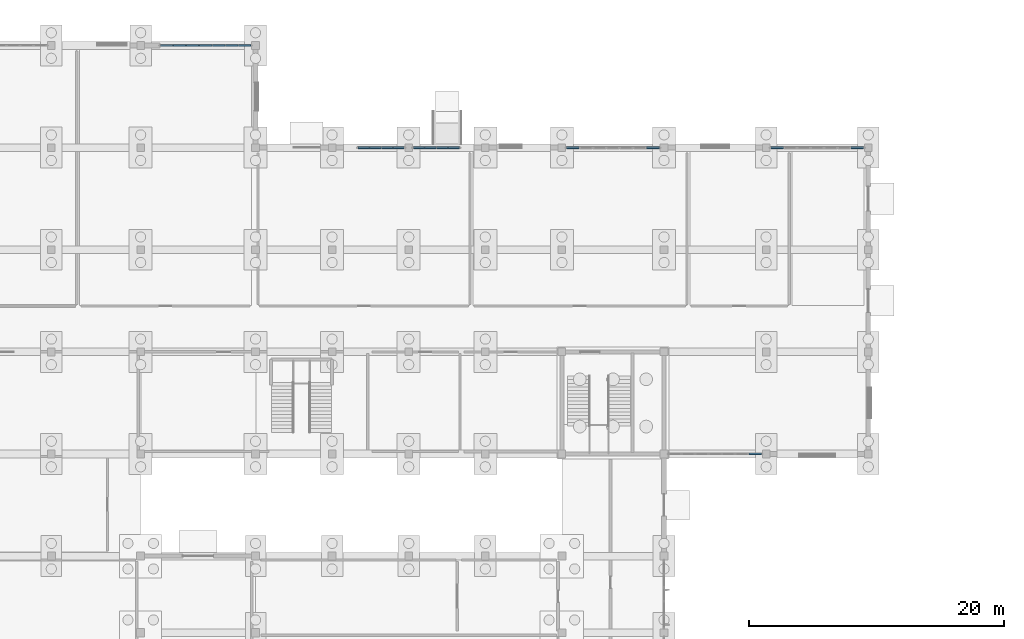
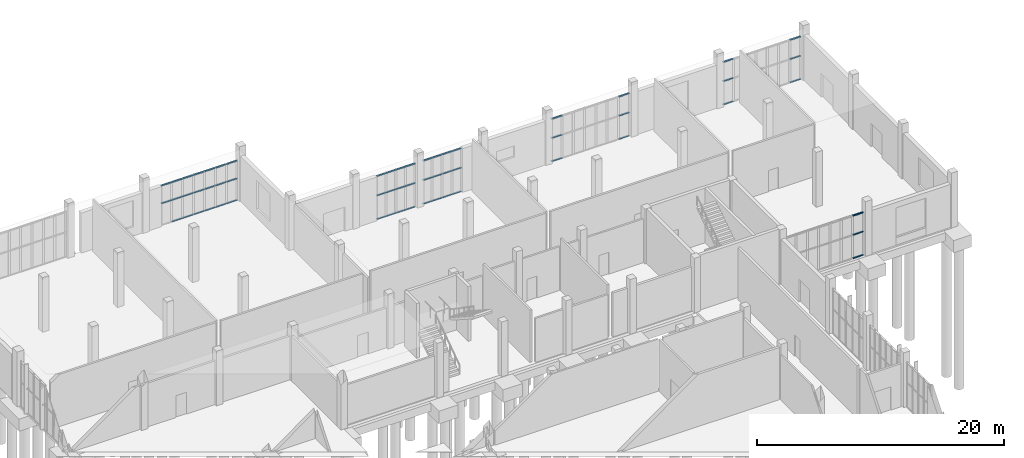
# One storey, part 27 of 69: 59 members, 6 elements without a shape of their own.
"""IFC4 building model written with IfcOpenShell, lengths in metres."""

import ifcopenshell
import ifcopenshell.guid

model = None  # the IFC model being written
_history = None  # IfcOwnerHistory: only IFC2X3 demands one
_inside = {}  # id of a spatial element -> (the spatial element, [elements in it])
_under = {}  # id of a project, library or spatial element -> (it, [spatial elements below it])
_declared = {}  # id of a project -> (the project, [libraries it declares])
_typed = {}  # id of a type object -> (the type object, [elements of that type])
_made_of = {}  # id of a material, layer set ... -> (it, [elements and type objects made of it])


def new_model(schema):
    """Start an empty IFC model of exactly this schema.

    Asked for "IFC4X3", IfcOpenShell would pick the latest addendum, in which some entities
    have other attributes; the version numbers below select the first issue.
    IFC2X3 requires an IfcOwnerHistory on every rooted entity: one is made here for all.
    """
    global model, _history
    if schema == "IFC4X3":
        model = ifcopenshell.file(schema_version=(4, 3, 0, 0))
    else:
        model = ifcopenshell.file(schema=schema)
    _inside.clear()
    _under.clear()
    _declared.clear()
    _typed.clear()
    _made_of.clear()
    _history = None
    if model.schema == "IFC2X3":
        org = make("IfcOrganization", Name="unknown")
        user = make(
            "IfcPersonAndOrganization",
            ThePerson=make("IfcPerson", FamilyName="unknown"),
            TheOrganization=org,
        )
        app = make(
            "IfcApplication",
            ApplicationDeveloper=org,
            Version="unknown",
            ApplicationFullName="unknown",
            ApplicationIdentifier="unknown",
        )
        _history = make(
            "IfcOwnerHistory",
            OwningUser=user,
            OwningApplication=app,
            ChangeAction="ADDED",
            CreationDate=0,
        )
    return model


def make(cls, **values):
    """One entity of the class cls with the attributes given. An attribute that is None is left unset."""
    return model.create_entity(
        cls, **{name: value for name, value in values.items() if value is not None}
    )


def rooted(cls, **values):
    """An entity with a GlobalId (a new one), such as an element, a storey or a relation."""
    return make(cls, GlobalId=ifcopenshell.guid.new(), OwnerHistory=_history, **values)


def si_unit(unit_type, name, prefix=None):
    """IfcSIUnit, for example si_unit("LENGTHUNIT", "METRE", prefix="MILLI")."""
    return make("IfcSIUnit", UnitType=unit_type, Prefix=prefix, Name=name)


def assignment(units):
    """IfcUnitAssignment: the units of a project."""
    return None if units is None else make("IfcUnitAssignment", Units=units)


def point(xyz):
    """IfcCartesianPoint."""
    return None if xyz is None else make("IfcCartesianPoint", Coordinates=xyz)


def direction(xyz):
    """IfcDirection."""
    return None if xyz is None else make("IfcDirection", DirectionRatios=xyz)


def frame(location, z_axis=None, x_axis=None):
    """IfcAxis2Placement3D, a coordinate frame: its origin and axes. An axis left out is left unset."""
    return make(
        "IfcAxis2Placement3D",
        Location=point(location),
        Axis=direction(z_axis),
        RefDirection=direction(x_axis),
    )


def frame_2d(location, x_axis=None):
    """IfcAxis2Placement2D, a coordinate frame in the plane: its origin and x axis."""
    return make(
        "IfcAxis2Placement2D", Location=point(location), RefDirection=direction(x_axis)
    )


def origin():
    """The frame at (0, 0, 0) with its axes left unset."""
    return frame((0.0, 0.0, 0.0))


def origin_2d():
    """The frame at (0, 0) in the plane with its x axis left unset."""
    return frame_2d((0.0, 0.0))


def place(relative_to, where):
    """IfcLocalPlacement: puts the frame where relative to a parent placement (None: the world)."""
    return make(
        "IfcLocalPlacement", PlacementRelTo=relative_to, RelativePlacement=where
    )


def context(
    kind, dimensions, precision=None, world=None, true_north=None, identifier=None
):
    """IfcGeometricRepresentationContext, for example the 3D "Model" context."""
    return make(
        "IfcGeometricRepresentationContext",
        ContextIdentifier=identifier,
        ContextType=kind,
        CoordinateSpaceDimension=dimensions,
        Precision=precision,
        WorldCoordinateSystem=world,
        TrueNorth=true_north,
    )


def subcontext(parent, identifier, kind, view, scale=None):
    """IfcGeometricRepresentationSubContext, for example "Body" below "Model"."""
    return make(
        "IfcGeometricRepresentationSubContext",
        ContextIdentifier=identifier,
        ContextType=kind,
        ParentContext=parent,
        TargetScale=scale,
        TargetView=view,
    )


def project(units=None, contexts=None):
    """IfcProject with its units and contexts."""
    return rooted(
        "IfcProject",
        Name="project",
        RepresentationContexts=contexts,
        UnitsInContext=assignment(units),
    )


def spatial(cls, under=None, at=None, **own):
    """A site, building, storey or space (cls), placed at a placement, below another one or the project."""
    s = rooted(cls, ObjectPlacement=at, **own)
    if under is not None:
        _under.setdefault(under.id(), (under, []))[1].append(s)
    return s


def profile(cls, at=None, kind="AREA", **sizes):
    """A parametric profile (cls). Its sizes go by their IFC names, for example OverallWidth=200.0."""
    return make(cls, ProfileType=kind, Position=at, **sizes)


def rectangle(**sizes):
    """IfcRectangleProfileDef."""
    return profile("IfcRectangleProfileDef", **sizes)


def extrude(swept, where, along, depth):
    """IfcExtrudedAreaSolid: the profile swept, set in the frame where, extruded along a direction by depth."""
    return make(
        "IfcExtrudedAreaSolid",
        SweptArea=swept,
        Position=where,
        ExtrudedDirection=direction(along),
        Depth=depth,
    )


def shape(context_of_items, identifier, shape_type, items):
    """IfcShapeRepresentation: the items that make up one representation, for example the "Body"."""
    return make(
        "IfcShapeRepresentation",
        ContextOfItems=context_of_items,
        RepresentationIdentifier=identifier,
        RepresentationType=shape_type,
        Items=items,
    )


def material(Name=None, Category=None):
    """IfcMaterial."""
    return make("IfcMaterial", Name=Name, Category=Category)


def layer(
    of_material, thickness, ventilated=None, Name=None, Category=None, Priority=None
):
    """IfcMaterialLayer: one layer of a wall or slab, of a material (None: an air gap)."""
    return make(
        "IfcMaterialLayer",
        Material=of_material,
        LayerThickness=thickness,
        IsVentilated=ventilated,
        Name=Name,
        Category=Category,
        Priority=Priority,
    )


def layer_set(layers, Name=None):
    """IfcMaterialLayerSet."""
    return make("IfcMaterialLayerSet", MaterialLayers=layers, LayerSetName=Name)


def material_profile(
    of_material, cross_section, Name=None, Category=None, Priority=None
):
    """IfcMaterialProfile: a cross section and its material."""
    return make(
        "IfcMaterialProfile",
        Name=Name,
        Material=of_material,
        Profile=cross_section,
        Priority=Priority,
        Category=Category,
    )


def profile_set(profiles, Name=None, composite=None):
    """IfcMaterialProfileSet."""
    return make(
        "IfcMaterialProfileSet",
        Name=Name,
        MaterialProfiles=profiles,
        CompositeProfile=composite,
    )


def made_of(thing, what):
    """Note that an element or type object is made of a material, layer set ...; save() writes the relation."""
    if what is not None:
        _made_of.setdefault(what.id(), (what, []))[1].append(thing)
    return thing


def type_object(cls, material=None, **own):
    """A type object (cls), such as IfcWallType, which elements share."""
    return made_of(rooted(cls, **own), material)


def element(
    cls,
    number,
    at=None,
    inside=None,
    cuts=None,
    type_object=None,
    material=None,
    context=None,
    identifier="Body",
    shape_type=None,
    held_by="IfcProductDefinitionShape",
    body=None,
    shapes=None,
    **own,
):
    """One element of the class cls, such as IfcWall. Its Tag is "e" and its number.

    at: its placement. inside: the storey or other place that contains it. cuts: it is an
    opening in that element (IfcRelVoidsElement). A single representation is given by context,
    identifier, shape_type and body (its items); several are given by shapes. held_by: the class
    of the entity that holds the representations. save() writes the other relations.
    """
    e = rooted(cls, Tag="e%d" % number, ObjectPlacement=at, **own)
    if body is not None:
        shapes = [shape(context, identifier, shape_type, body)]
    if shapes is not None:
        e.Representation = make(held_by, Representations=shapes)
    if inside is not None:
        _inside.setdefault(inside.id(), (inside, []))[1].append(e)
    if cuts is not None:
        rooted(
            "IfcRelVoidsElement", RelatingBuildingElement=cuts, RelatedOpeningElement=e
        )
    if type_object is not None:
        _typed.setdefault(type_object.id(), (type_object, []))[1].append(e)
    return made_of(e, material)


def aggregate(whole, parts):
    """IfcRelAggregates: a whole, such as a stair, and the parts it consists of."""
    return rooted("IfcRelAggregates", RelatingObject=whole, RelatedObjects=parts)


def save(model, path):
    """Write the relations noted so far, then the file.

    IfcRelAggregates (storeys below a building ...), IfcRelContainedInSpatialStructure (elements
    in a storey), IfcRelDefinesByType, IfcRelAssociatesMaterial and IfcRelDeclares: one each for
    every whole, place, type object, material and project.
    """
    for whole, parts in _under.values():
        aggregate(whole, parts)
    for where, things in _inside.values():
        rooted(
            "IfcRelContainedInSpatialStructure",
            RelatedElements=things,
            RelatingStructure=where,
        )
    for kind, things in _typed.values():
        rooted("IfcRelDefinesByType", RelatedObjects=things, RelatingType=kind)
    for what, things in _made_of.values():
        rooted("IfcRelAssociatesMaterial", RelatedObjects=things, RelatingMaterial=what)
    for by, libraries in _declared.values():
        rooted("IfcRelDeclares", RelatingContext=by, RelatedDefinitions=libraries)
    model.write(path)


model = new_model("IFC4")

# Units and contexts
model_context = context("Model", 3, precision=1e-05, world=origin(), true_north=direction((0.0, 1.0)))
body_context = subcontext(model_context, "Body", "Model", "MODEL_VIEW")
ifc_project = project(units=[si_unit("LENGTHUNIT", "METRE"), si_unit("AREAUNIT", "SQUARE_METRE"), si_unit("VOLUMEUNIT", "CUBIC_METRE"), si_unit("PLANEANGLEUNIT", "RADIAN"), si_unit("MASSUNIT", "GRAM", prefix="KILO")], contexts=[model_context])

# Site, building, storey
site_placement = place(None, origin())
site = spatial("IfcSite", under=ifc_project, at=site_placement, CompositionType="ELEMENT")
building_placement = place(site_placement, origin())
building = spatial("IfcBuilding", under=site, at=building_placement, Name="Solvane Community Centre", CompositionType="ELEMENT")
storey_placement = place(building_placement, origin())
storey = spatial("IfcBuildingStorey", under=building, at=storey_placement, Name="L00", CompositionType="ELEMENT", Elevation=0.0)

# Curtain wall, members
ifc_material = material(Name="Anodised bronze aluminium AW-6063 T6", Category="aluminium")
ifc_layer_1 = layer(ifc_material, 0.18994140625)
ifc_layer_set_1 = layer_set([ifc_layer_1], Name="Anodised bronze aluminium AW-6063 T6")
curtain_wall_type_1 = type_object("IfcCurtainWallType", Name="Boulevard Bronze Vision Curtain Wall [72x39dm]", PredefinedType="NOTDEFINED", material=ifc_layer_set_1)
curtain_wall_1_placement = place(storey_placement, origin())
curtain_wall_1 = element("IfcCurtainWall", 1, at=curtain_wall_1_placement, inside=storey, type_object=curtain_wall_type_1, Name="Curtain Wall CW-L00-285_1180-009", PredefinedType="NOTDEFINED")
ifc_material_profile = material_profile(ifc_material, rectangle(XDim=0.14990234375, YDim=0.06005859375, at=origin_2d()), Name="CW-T 60x150")
ifc_profile_set = profile_set([ifc_material_profile], Name="Anodised bronze aluminium AW-6063 T6")
member_type = type_object("IfcMemberType", Name="Boulevard Transom 60x150", PredefinedType="USERDEFINED", material=ifc_profile_set)
member_1_placement = place(storey_placement, frame((28.56005859375, 118.0, 2.169921875), z_axis=(1.0, 0.0, 0.0), x_axis=(0.0, 1.0, 0.0)))
member_1 = element("IfcMember", 2, at=member_1_placement, type_object=member_type, Name="CW02-72x39 transom 1.2", ObjectType="TRANSOM", PredefinedType="USERDEFINED", context=body_context, shape_type="SweptSolid", body=[
    extrude(rectangle(XDim=0.14990234375, YDim=0.06005859375, at=origin_2d()), origin(), (0.0, 0.0, 1.0), 0.935546875),
])
member_2_placement = place(storey_placement, frame((28.56005859375, 118.0, 3.9150390625), z_axis=(1.0, 0.0, 0.0), x_axis=(0.0, 1.0, 0.0)))
member_2 = element("IfcMember", 3, at=member_2_placement, type_object=member_type, Name="CW02-72x39 transom 1.3", ObjectType="TRANSOM", PredefinedType="USERDEFINED", context=body_context, shape_type="SweptSolid", body=[
    extrude(rectangle(XDim=0.14990234375, YDim=0.06005859375, at=origin_2d()), origin(), (0.0, 0.0, 1.0), 0.935546875),
])
member_3_placement = place(storey_placement, frame((29.5556640625, 118.0, 0.030029296875), z_axis=(1.0, 0.0, 0.0), x_axis=(0.0, 1.0, 0.0)))
member_3 = element("IfcMember", 4, at=member_3_placement, type_object=member_type, Name="CW02-72x39 transom 2.1", ObjectType="TRANSOM", PredefinedType="USERDEFINED", context=body_context, shape_type="SweptSolid", body=[
    extrude(rectangle(XDim=0.14990234375, YDim=0.06005859375, at=origin_2d()), origin(), (0.0, 0.0, 1.0), 0.9658203125),
])
member_4_placement = place(storey_placement, frame((29.5556640625, 118.0, 2.169921875), z_axis=(1.0, 0.0, 0.0), x_axis=(0.0, 1.0, 0.0)))
member_4 = element("IfcMember", 5, at=member_4_placement, type_object=member_type, Name="CW02-72x39 transom 2.2", ObjectType="TRANSOM", PredefinedType="USERDEFINED", context=body_context, shape_type="SweptSolid", body=[
    extrude(rectangle(XDim=0.14990234375, YDim=0.06005859375, at=origin_2d()), origin(), (0.0, 0.0, 1.0), 0.9658203125),
])
member_5_placement = place(storey_placement, frame((29.5556640625, 118.0, 3.9150390625), z_axis=(1.0, 0.0, 0.0), x_axis=(0.0, 1.0, 0.0)))
member_5 = element("IfcMember", 6, at=member_5_placement, type_object=member_type, Name="CW02-72x39 transom 2.3", ObjectType="TRANSOM", PredefinedType="USERDEFINED", context=body_context, shape_type="SweptSolid", body=[
    extrude(rectangle(XDim=0.14990234375, YDim=0.06005859375, at=origin_2d()), origin(), (0.0, 0.0, 1.0), 0.9658203125),
])
member_6_placement = place(storey_placement, frame((30.58154296875, 118.0, 0.030029296875), z_axis=(1.0, 0.0, 0.0), x_axis=(0.0, 1.0, 0.0)))
member_6 = element("IfcMember", 7, at=member_6_placement, type_object=member_type, Name="CW02-72x39 transom 3.1", ObjectType="TRANSOM", PredefinedType="USERDEFINED", context=body_context, shape_type="SweptSolid", body=[
    extrude(rectangle(XDim=0.14990234375, YDim=0.06005859375, at=origin_2d()), origin(), (0.0, 0.0, 1.0), 0.965576171875),
])
member_7_placement = place(storey_placement, frame((30.58154296875, 118.0, 2.169921875), z_axis=(1.0, 0.0, 0.0), x_axis=(0.0, 1.0, 0.0)))
member_7 = element("IfcMember", 8, at=member_7_placement, type_object=member_type, Name="CW02-72x39 transom 3.2", ObjectType="TRANSOM", PredefinedType="USERDEFINED", context=body_context, shape_type="SweptSolid", body=[
    extrude(rectangle(XDim=0.14990234375, YDim=0.06005859375, at=origin_2d()), origin(), (0.0, 0.0, 1.0), 0.965576171875),
])
member_8_placement = place(storey_placement, frame((30.58154296875, 118.0, 3.9150390625), z_axis=(1.0, 0.0, 0.0), x_axis=(0.0, 1.0, 0.0)))
member_8 = element("IfcMember", 9, at=member_8_placement, type_object=member_type, Name="CW02-72x39 transom 3.3", ObjectType="TRANSOM", PredefinedType="USERDEFINED", context=body_context, shape_type="SweptSolid", body=[
    extrude(rectangle(XDim=0.14990234375, YDim=0.06005859375, at=origin_2d()), origin(), (0.0, 0.0, 1.0), 0.965576171875),
])
member_9_placement = place(storey_placement, frame((31.607177734375, 118.0, 0.030029296875), z_axis=(1.0, 0.0, 0.0), x_axis=(0.0, 1.0, 0.0)))
member_9 = element("IfcMember", 10, at=member_9_placement, type_object=member_type, Name="CW02-72x39 transom 4.1", ObjectType="TRANSOM", PredefinedType="USERDEFINED", context=body_context, shape_type="SweptSolid", body=[
    extrude(rectangle(XDim=0.14990234375, YDim=0.06005859375, at=origin_2d()), origin(), (0.0, 0.0, 1.0), 0.965576171875),
])
member_10_placement = place(storey_placement, frame((31.607177734375, 118.0, 2.169921875), z_axis=(1.0, 0.0, 0.0), x_axis=(0.0, 1.0, 0.0)))
member_10 = element("IfcMember", 11, at=member_10_placement, type_object=member_type, Name="CW02-72x39 transom 4.2", ObjectType="TRANSOM", PredefinedType="USERDEFINED", context=body_context, shape_type="SweptSolid", body=[
    extrude(rectangle(XDim=0.14990234375, YDim=0.06005859375, at=origin_2d()), origin(), (0.0, 0.0, 1.0), 0.965576171875),
])
member_11_placement = place(storey_placement, frame((31.607177734375, 118.0, 3.9150390625), z_axis=(1.0, 0.0, 0.0), x_axis=(0.0, 1.0, 0.0)))
member_11 = element("IfcMember", 12, at=member_11_placement, type_object=member_type, Name="CW02-72x39 transom 4.3", ObjectType="TRANSOM", PredefinedType="USERDEFINED", context=body_context, shape_type="SweptSolid", body=[
    extrude(rectangle(XDim=0.14990234375, YDim=0.06005859375, at=origin_2d()), origin(), (0.0, 0.0, 1.0), 0.965576171875),
])
member_12_placement = place(storey_placement, frame((32.6328125, 118.0, 0.030029296875), z_axis=(1.0, 0.0, 0.0), x_axis=(0.0, 1.0, 0.0)))
member_12 = element("IfcMember", 13, at=member_12_placement, type_object=member_type, Name="CW02-72x39 transom 5.1", ObjectType="TRANSOM", PredefinedType="USERDEFINED", context=body_context, shape_type="SweptSolid", body=[
    extrude(rectangle(XDim=0.14990234375, YDim=0.06005859375, at=origin_2d()), origin(), (0.0, 0.0, 1.0), 0.9658203125),
])
member_13_placement = place(storey_placement, frame((32.6328125, 118.0, 2.169921875), z_axis=(1.0, 0.0, 0.0), x_axis=(0.0, 1.0, 0.0)))
member_13 = element("IfcMember", 14, at=member_13_placement, type_object=member_type, Name="CW02-72x39 transom 5.2", ObjectType="TRANSOM", PredefinedType="USERDEFINED", context=body_context, shape_type="SweptSolid", body=[
    extrude(rectangle(XDim=0.14990234375, YDim=0.06005859375, at=origin_2d()), origin(), (0.0, 0.0, 1.0), 0.9658203125),
])
member_14_placement = place(storey_placement, frame((32.6328125, 118.0, 3.9150390625), z_axis=(1.0, 0.0, 0.0), x_axis=(0.0, 1.0, 0.0)))
member_14 = element("IfcMember", 15, at=member_14_placement, type_object=member_type, Name="CW02-72x39 transom 5.3", ObjectType="TRANSOM", PredefinedType="USERDEFINED", context=body_context, shape_type="SweptSolid", body=[
    extrude(rectangle(XDim=0.14990234375, YDim=0.06005859375, at=origin_2d()), origin(), (0.0, 0.0, 1.0), 0.9658203125),
])
member_15_placement = place(storey_placement, frame((33.65869140625, 118.0, 0.030029296875), z_axis=(1.0, 0.0, 0.0), x_axis=(0.0, 1.0, 0.0)))
member_15 = element("IfcMember", 16, at=member_15_placement, type_object=member_type, Name="CW02-72x39 transom 6.1", ObjectType="TRANSOM", PredefinedType="USERDEFINED", context=body_context, shape_type="SweptSolid", body=[
    extrude(rectangle(XDim=0.14990234375, YDim=0.06005859375, at=origin_2d()), origin(), (0.0, 0.0, 1.0), 0.965576171875),
])
member_16_placement = place(storey_placement, frame((33.65869140625, 118.0, 2.169921875), z_axis=(1.0, 0.0, 0.0), x_axis=(0.0, 1.0, 0.0)))
member_16 = element("IfcMember", 17, at=member_16_placement, type_object=member_type, Name="CW02-72x39 transom 6.2", ObjectType="TRANSOM", PredefinedType="USERDEFINED", context=body_context, shape_type="SweptSolid", body=[
    extrude(rectangle(XDim=0.14990234375, YDim=0.06005859375, at=origin_2d()), origin(), (0.0, 0.0, 1.0), 0.965576171875),
])
member_17_placement = place(storey_placement, frame((33.65869140625, 118.0, 3.9150390625), z_axis=(1.0, 0.0, 0.0), x_axis=(0.0, 1.0, 0.0)))
member_17 = element("IfcMember", 18, at=member_17_placement, type_object=member_type, Name="CW02-72x39 transom 6.3", ObjectType="TRANSOM", PredefinedType="USERDEFINED", context=body_context, shape_type="SweptSolid", body=[
    extrude(rectangle(XDim=0.14990234375, YDim=0.06005859375, at=origin_2d()), origin(), (0.0, 0.0, 1.0), 0.965576171875),
])
member_18_placement = place(storey_placement, frame((34.684326171875, 118.0, 0.030029296875), z_axis=(1.0, 0.0, 0.0), x_axis=(0.0, 1.0, 0.0)))
member_18 = element("IfcMember", 19, at=member_18_placement, type_object=member_type, Name="CW02-72x39 transom 7.1", ObjectType="TRANSOM", PredefinedType="USERDEFINED", context=body_context, shape_type="SweptSolid", body=[
    extrude(rectangle(XDim=0.14990234375, YDim=0.06005859375, at=origin_2d()), origin(), (0.0, 0.0, 1.0), 0.935791015625),
])
member_19_placement = place(storey_placement, frame((34.684326171875, 118.0, 2.169921875), z_axis=(1.0, 0.0, 0.0), x_axis=(0.0, 1.0, 0.0)))
member_19 = element("IfcMember", 20, at=member_19_placement, type_object=member_type, Name="CW02-72x39 transom 7.2", ObjectType="TRANSOM", PredefinedType="USERDEFINED", context=body_context, shape_type="SweptSolid", body=[
    extrude(rectangle(XDim=0.14990234375, YDim=0.06005859375, at=origin_2d()), origin(), (0.0, 0.0, 1.0), 0.935791015625),
])
member_20_placement = place(storey_placement, frame((34.684326171875, 118.0, 3.9150390625), z_axis=(1.0, 0.0, 0.0), x_axis=(0.0, 1.0, 0.0)))
member_20 = element("IfcMember", 21, at=member_20_placement, type_object=member_type, Name="CW02-72x39 transom 7.3", ObjectType="TRANSOM", PredefinedType="USERDEFINED", context=body_context, shape_type="SweptSolid", body=[
    extrude(rectangle(XDim=0.14990234375, YDim=0.06005859375, at=origin_2d()), origin(), (0.0, 0.0, 1.0), 0.935791015625),
])
aggregate(curtain_wall_1, [member_1, member_2, member_3, member_4, member_5, member_6, member_7, member_8, member_9, member_10, member_11, member_12, member_13, member_14, member_15, member_16, member_17, member_18, member_19, member_20])

ifc_layer_2 = layer(ifc_material, 0.18994140625)
ifc_layer_set_2 = layer_set([ifc_layer_2], Name="Anodised bronze aluminium AW-6063 T6")
curtain_wall_type_2 = type_object("IfcCurtainWallType", Name="Boulevard Bronze Vision Curtain Wall [37x43dm]", PredefinedType="NOTDEFINED", material=ifc_layer_set_2)
curtain_wall_2_placement = place(storey_placement, origin())
curtain_wall_2 = element("IfcCurtainWall", 22, at=curtain_wall_2_placement, inside=storey, type_object=curtain_wall_type_2, Name="Curtain Wall CW-L00-440_1100-010", PredefinedType="NOTDEFINED")
member_21_placement = place(storey_placement, frame((44.06005859375, 110.0, 0.030029296875), z_axis=(1.0, 0.0, 0.0), x_axis=(0.0, 1.0, 0.0)))
member_21 = element("IfcMember", 23, at=member_21_placement, type_object=member_type, Name="CW02-37x43 transom 1.1", ObjectType="TRANSOM", PredefinedType="USERDEFINED", context=body_context, shape_type="SweptSolid", body=[
    extrude(rectangle(XDim=0.14990234375, YDim=0.06005859375, at=origin_2d()), origin(), (0.0, 0.0, 1.0), 0.831298828125),
])
member_22_placement = place(storey_placement, frame((44.06005859375, 110.0, 2.373046875), z_axis=(1.0, 0.0, 0.0), x_axis=(0.0, 1.0, 0.0)))
member_22 = element("IfcMember", 24, at=member_22_placement, type_object=member_type, Name="CW02-37x43 transom 1.2", ObjectType="TRANSOM", PredefinedType="USERDEFINED", context=body_context, shape_type="SweptSolid", body=[
    extrude(rectangle(XDim=0.14990234375, YDim=0.06005859375, at=origin_2d()), origin(), (0.0, 0.0, 1.0), 0.831298828125),
])
member_23_placement = place(storey_placement, frame((44.06005859375, 110.0, 4.284912109375), z_axis=(1.0, 0.0, 0.0), x_axis=(0.0, 1.0, 0.0)))
member_23 = element("IfcMember", 25, at=member_23_placement, type_object=member_type, Name="CW02-37x43 transom 1.3", ObjectType="TRANSOM", PredefinedType="USERDEFINED", context=body_context, shape_type="SweptSolid", body=[
    extrude(rectangle(XDim=0.14990234375, YDim=0.06005859375, at=origin_2d()), origin(), (0.0, 0.0, 1.0), 0.831298828125),
])
member_24_placement = place(storey_placement, frame((44.951171875, 110.0, 0.030029296875), z_axis=(1.0, 0.0, 0.0), x_axis=(0.0, 1.0, 0.0)))
member_24 = element("IfcMember", 26, at=member_24_placement, type_object=member_type, Name="CW02-37x43 transom 2.1", ObjectType="TRANSOM", PredefinedType="USERDEFINED", context=body_context, shape_type="SweptSolid", body=[
    extrude(rectangle(XDim=0.14990234375, YDim=0.06005859375, at=origin_2d()), origin(), (0.0, 0.0, 1.0), 0.861328125),
])
member_25_placement = place(storey_placement, frame((44.951171875, 110.0, 2.373046875), z_axis=(1.0, 0.0, 0.0), x_axis=(0.0, 1.0, 0.0)))
member_25 = element("IfcMember", 27, at=member_25_placement, type_object=member_type, Name="CW02-37x43 transom 2.2", ObjectType="TRANSOM", PredefinedType="USERDEFINED", context=body_context, shape_type="SweptSolid", body=[
    extrude(rectangle(XDim=0.14990234375, YDim=0.06005859375, at=origin_2d()), origin(), (0.0, 0.0, 1.0), 0.861328125),
])
member_26_placement = place(storey_placement, frame((44.951171875, 110.0, 4.284912109375), z_axis=(1.0, 0.0, 0.0), x_axis=(0.0, 1.0, 0.0)))
member_26 = element("IfcMember", 28, at=member_26_placement, type_object=member_type, Name="CW02-37x43 transom 2.3", ObjectType="TRANSOM", PredefinedType="USERDEFINED", context=body_context, shape_type="SweptSolid", body=[
    extrude(rectangle(XDim=0.14990234375, YDim=0.06005859375, at=origin_2d()), origin(), (0.0, 0.0, 1.0), 0.861328125),
])
member_27_placement = place(storey_placement, frame((45.87255859375, 110.0, 0.030029296875), z_axis=(1.0, 0.0, 0.0), x_axis=(0.0, 1.0, 0.0)))
member_27 = element("IfcMember", 29, at=member_27_placement, type_object=member_type, Name="CW02-37x43 transom 3.1", ObjectType="TRANSOM", PredefinedType="USERDEFINED", context=body_context, shape_type="SweptSolid", body=[
    extrude(rectangle(XDim=0.14990234375, YDim=0.06005859375, at=origin_2d()), origin(), (0.0, 0.0, 1.0), 0.861083984375),
])
member_28_placement = place(storey_placement, frame((45.87255859375, 110.0, 2.373046875), z_axis=(1.0, 0.0, 0.0), x_axis=(0.0, 1.0, 0.0)))
member_28 = element("IfcMember", 30, at=member_28_placement, type_object=member_type, Name="CW02-37x43 transom 3.2", ObjectType="TRANSOM", PredefinedType="USERDEFINED", context=body_context, shape_type="SweptSolid", body=[
    extrude(rectangle(XDim=0.14990234375, YDim=0.06005859375, at=origin_2d()), origin(), (0.0, 0.0, 1.0), 0.861083984375),
])
member_29_placement = place(storey_placement, frame((45.87255859375, 110.0, 4.284912109375), z_axis=(1.0, 0.0, 0.0), x_axis=(0.0, 1.0, 0.0)))
member_29 = element("IfcMember", 31, at=member_29_placement, type_object=member_type, Name="CW02-37x43 transom 3.3", ObjectType="TRANSOM", PredefinedType="USERDEFINED", context=body_context, shape_type="SweptSolid", body=[
    extrude(rectangle(XDim=0.14990234375, YDim=0.06005859375, at=origin_2d()), origin(), (0.0, 0.0, 1.0), 0.861083984375),
])
member_30_placement = place(storey_placement, frame((46.793701171875, 110.0, 0.030029296875), z_axis=(1.0, 0.0, 0.0), x_axis=(0.0, 1.0, 0.0)))
member_30 = element("IfcMember", 32, at=member_30_placement, type_object=member_type, Name="CW02-37x43 transom 4.1", ObjectType="TRANSOM", PredefinedType="USERDEFINED", context=body_context, shape_type="SweptSolid", body=[
    extrude(rectangle(XDim=0.14990234375, YDim=0.06005859375, at=origin_2d()), origin(), (0.0, 0.0, 1.0), 0.831298828125),
])
member_31_placement = place(storey_placement, frame((46.793701171875, 110.0, 2.373046875), z_axis=(1.0, 0.0, 0.0), x_axis=(0.0, 1.0, 0.0)))
member_31 = element("IfcMember", 33, at=member_31_placement, type_object=member_type, Name="CW02-37x43 transom 4.2", ObjectType="TRANSOM", PredefinedType="USERDEFINED", context=body_context, shape_type="SweptSolid", body=[
    extrude(rectangle(XDim=0.14990234375, YDim=0.06005859375, at=origin_2d()), origin(), (0.0, 0.0, 1.0), 0.831298828125),
])
member_32_placement = place(storey_placement, frame((46.793701171875, 110.0, 4.284912109375), z_axis=(1.0, 0.0, 0.0), x_axis=(0.0, 1.0, 0.0)))
member_32 = element("IfcMember", 34, at=member_32_placement, type_object=member_type, Name="CW02-37x43 transom 4.3", ObjectType="TRANSOM", PredefinedType="USERDEFINED", context=body_context, shape_type="SweptSolid", body=[
    extrude(rectangle(XDim=0.14990234375, YDim=0.06005859375, at=origin_2d()), origin(), (0.0, 0.0, 1.0), 0.831298828125),
])
aggregate(curtain_wall_2, [member_21, member_22, member_23, member_24, member_25, member_26, member_27, member_28, member_29, member_30, member_31, member_32])

curtain_wall_3_placement = place(storey_placement, origin())
curtain_wall_3 = element("IfcCurtainWall", 35, at=curtain_wall_3_placement, inside=storey, type_object=curtain_wall_type_2, Name="Curtain Wall CW-L00-483_1100-011", PredefinedType="NOTDEFINED")
member_33_placement = place(storey_placement, frame((48.375, 110.0, 0.030029296875), z_axis=(1.0, 0.0, 0.0), x_axis=(0.0, 1.0, 0.0)))
member_33 = element("IfcMember", 36, at=member_33_placement, type_object=member_type, Name="CW02-37x43 transom 1.1", ObjectType="TRANSOM", PredefinedType="USERDEFINED", context=body_context, shape_type="SweptSolid", body=[
    extrude(rectangle(XDim=0.14990234375, YDim=0.06005859375, at=origin_2d()), origin(), (0.0, 0.0, 1.0), 0.831298828125),
])
member_34_placement = place(storey_placement, frame((48.375, 110.0, 2.373046875), z_axis=(1.0, 0.0, 0.0), x_axis=(0.0, 1.0, 0.0)))
member_34 = element("IfcMember", 37, at=member_34_placement, type_object=member_type, Name="CW02-37x43 transom 1.2", ObjectType="TRANSOM", PredefinedType="USERDEFINED", context=body_context, shape_type="SweptSolid", body=[
    extrude(rectangle(XDim=0.14990234375, YDim=0.06005859375, at=origin_2d()), origin(), (0.0, 0.0, 1.0), 0.831298828125),
])
member_35_placement = place(storey_placement, frame((48.375, 110.0, 4.284912109375), z_axis=(1.0, 0.0, 0.0), x_axis=(0.0, 1.0, 0.0)))
member_35 = element("IfcMember", 38, at=member_35_placement, type_object=member_type, Name="CW02-37x43 transom 1.3", ObjectType="TRANSOM", PredefinedType="USERDEFINED", context=body_context, shape_type="SweptSolid", body=[
    extrude(rectangle(XDim=0.14990234375, YDim=0.06005859375, at=origin_2d()), origin(), (0.0, 0.0, 1.0), 0.831298828125),
])
member_36_placement = place(storey_placement, frame((49.266357421875, 110.0, 0.030029296875), z_axis=(1.0, 0.0, 0.0), x_axis=(0.0, 1.0, 0.0)))
member_36 = element("IfcMember", 39, at=member_36_placement, type_object=member_type, Name="CW02-37x43 transom 2.1", ObjectType="TRANSOM", PredefinedType="USERDEFINED", context=body_context, shape_type="SweptSolid", body=[
    extrude(rectangle(XDim=0.14990234375, YDim=0.06005859375, at=origin_2d()), origin(), (0.0, 0.0, 1.0), 0.861083984375),
])
member_37_placement = place(storey_placement, frame((49.266357421875, 110.0, 2.373046875), z_axis=(1.0, 0.0, 0.0), x_axis=(0.0, 1.0, 0.0)))
member_37 = element("IfcMember", 40, at=member_37_placement, type_object=member_type, Name="CW02-37x43 transom 2.2", ObjectType="TRANSOM", PredefinedType="USERDEFINED", context=body_context, shape_type="SweptSolid", body=[
    extrude(rectangle(XDim=0.14990234375, YDim=0.06005859375, at=origin_2d()), origin(), (0.0, 0.0, 1.0), 0.861083984375),
])
member_38_placement = place(storey_placement, frame((49.266357421875, 110.0, 4.284912109375), z_axis=(1.0, 0.0, 0.0), x_axis=(0.0, 1.0, 0.0)))
member_38 = element("IfcMember", 41, at=member_38_placement, type_object=member_type, Name="CW02-37x43 transom 2.3", ObjectType="TRANSOM", PredefinedType="USERDEFINED", context=body_context, shape_type="SweptSolid", body=[
    extrude(rectangle(XDim=0.14990234375, YDim=0.06005859375, at=origin_2d()), origin(), (0.0, 0.0, 1.0), 0.861083984375),
])
member_39_placement = place(storey_placement, frame((50.1875, 110.0, 0.030029296875), z_axis=(1.0, 0.0, 0.0), x_axis=(0.0, 1.0, 0.0)))
member_39 = element("IfcMember", 42, at=member_39_placement, type_object=member_type, Name="CW02-37x43 transom 3.1", ObjectType="TRANSOM", PredefinedType="USERDEFINED", context=body_context, shape_type="SweptSolid", body=[
    extrude(rectangle(XDim=0.14990234375, YDim=0.06005859375, at=origin_2d()), origin(), (0.0, 0.0, 1.0), 0.861328125),
])
member_40_placement = place(storey_placement, frame((50.1875, 110.0, 2.373046875), z_axis=(1.0, 0.0, 0.0), x_axis=(0.0, 1.0, 0.0)))
member_40 = element("IfcMember", 43, at=member_40_placement, type_object=member_type, Name="CW02-37x43 transom 3.2", ObjectType="TRANSOM", PredefinedType="USERDEFINED", context=body_context, shape_type="SweptSolid", body=[
    extrude(rectangle(XDim=0.14990234375, YDim=0.06005859375, at=origin_2d()), origin(), (0.0, 0.0, 1.0), 0.861328125),
])
member_41_placement = place(storey_placement, frame((50.1875, 110.0, 4.284912109375), z_axis=(1.0, 0.0, 0.0), x_axis=(0.0, 1.0, 0.0)))
member_41 = element("IfcMember", 44, at=member_41_placement, type_object=member_type, Name="CW02-37x43 transom 3.3", ObjectType="TRANSOM", PredefinedType="USERDEFINED", context=body_context, shape_type="SweptSolid", body=[
    extrude(rectangle(XDim=0.14990234375, YDim=0.06005859375, at=origin_2d()), origin(), (0.0, 0.0, 1.0), 0.861328125),
])
member_42_placement = place(storey_placement, frame((51.108642578125, 110.0, 0.030029296875), z_axis=(1.0, 0.0, 0.0), x_axis=(0.0, 1.0, 0.0)))
member_42 = element("IfcMember", 45, at=member_42_placement, type_object=member_type, Name="CW02-37x43 transom 4.1", ObjectType="TRANSOM", PredefinedType="USERDEFINED", context=body_context, shape_type="SweptSolid", body=[
    extrude(rectangle(XDim=0.14990234375, YDim=0.06005859375, at=origin_2d()), origin(), (0.0, 0.0, 1.0), 0.831298828125),
])
member_43_placement = place(storey_placement, frame((51.108642578125, 110.0, 2.373046875), z_axis=(1.0, 0.0, 0.0), x_axis=(0.0, 1.0, 0.0)))
member_43 = element("IfcMember", 46, at=member_43_placement, type_object=member_type, Name="CW02-37x43 transom 4.2", ObjectType="TRANSOM", PredefinedType="USERDEFINED", context=body_context, shape_type="SweptSolid", body=[
    extrude(rectangle(XDim=0.14990234375, YDim=0.06005859375, at=origin_2d()), origin(), (0.0, 0.0, 1.0), 0.831298828125),
])
member_44_placement = place(storey_placement, frame((51.108642578125, 110.0, 4.284912109375), z_axis=(1.0, 0.0, 0.0), x_axis=(0.0, 1.0, 0.0)))
member_44 = element("IfcMember", 47, at=member_44_placement, type_object=member_type, Name="CW02-37x43 transom 4.3", ObjectType="TRANSOM", PredefinedType="USERDEFINED", context=body_context, shape_type="SweptSolid", body=[
    extrude(rectangle(XDim=0.14990234375, YDim=0.06005859375, at=origin_2d()), origin(), (0.0, 0.0, 1.0), 0.831298828125),
])
aggregate(curtain_wall_3, [member_33, member_34, member_35, member_36, member_37, member_38, member_39, member_40, member_41, member_42, member_43, member_44])

ifc_layer_3 = layer(ifc_material, 0.18994140625)
ifc_layer_set_3 = layer_set([ifc_layer_3], Name="Anodised bronze aluminium AW-6063 T6")
curtain_wall_type_3 = type_object("IfcCurtainWallType", Name="Boulevard Bronze Vision Curtain Wall [74x42dm]", PredefinedType="NOTDEFINED", material=ifc_layer_set_3)
curtain_wall_4_placement = place(storey_placement, origin())
curtain_wall_4 = element("IfcCurtainWall", 48, at=curtain_wall_4_placement, inside=storey, type_object=curtain_wall_type_3, Name="Curtain Wall CW-L00-603_1100-012", PredefinedType="NOTDEFINED")
member_45_placement = place(storey_placement, frame((60.375, 110.0, 0.030029296875), z_axis=(1.0, 0.0, 0.0), x_axis=(0.0, 1.0, 0.0)))
member_45 = element("IfcMember", 49, at=member_45_placement, type_object=member_type, Name="CW02-74x42 transom 1.1", ObjectType="TRANSOM", PredefinedType="USERDEFINED", context=body_context, shape_type="SweptSolid", body=[
    extrude(rectangle(XDim=0.14990234375, YDim=0.06005859375, at=origin_2d()), origin(), (0.0, 0.0, 1.0), 0.962890625),
])
member_46_placement = place(storey_placement, frame((60.375, 110.0, 2.3349609375), z_axis=(1.0, 0.0, 0.0), x_axis=(0.0, 1.0, 0.0)))
member_46 = element("IfcMember", 50, at=member_46_placement, type_object=member_type, Name="CW02-74x42 transom 1.2", ObjectType="TRANSOM", PredefinedType="USERDEFINED", context=body_context, shape_type="SweptSolid", body=[
    extrude(rectangle(XDim=0.14990234375, YDim=0.06005859375, at=origin_2d()), origin(), (0.0, 0.0, 1.0), 0.962890625),
])
member_47_placement = place(storey_placement, frame((60.375, 110.0, 4.215087890625), z_axis=(1.0, 0.0, 0.0), x_axis=(0.0, 1.0, 0.0)))
member_47 = element("IfcMember", 51, at=member_47_placement, type_object=member_type, Name="CW02-74x42 transom 1.3", ObjectType="TRANSOM", PredefinedType="USERDEFINED", context=body_context, shape_type="SweptSolid", body=[
    extrude(rectangle(XDim=0.14990234375, YDim=0.06005859375, at=origin_2d()), origin(), (0.0, 0.0, 1.0), 0.962890625),
])
member_48_placement = place(storey_placement, frame((66.662109375, 110.0, 0.030029296875), z_axis=(1.0, 0.0, 0.0), x_axis=(0.0, 1.0, 0.0)))
member_48 = element("IfcMember", 52, at=member_48_placement, type_object=member_type, Name="CW02-74x42 transom 7.1", ObjectType="TRANSOM", PredefinedType="USERDEFINED", context=body_context, shape_type="SweptSolid", body=[
    extrude(rectangle(XDim=0.14990234375, YDim=0.06005859375, at=origin_2d()), origin(), (0.0, 0.0, 1.0), 0.962890625),
])
member_49_placement = place(storey_placement, frame((66.662109375, 110.0, 2.3349609375), z_axis=(1.0, 0.0, 0.0), x_axis=(0.0, 1.0, 0.0)))
member_49 = element("IfcMember", 53, at=member_49_placement, type_object=member_type, Name="CW02-74x42 transom 7.2", ObjectType="TRANSOM", PredefinedType="USERDEFINED", context=body_context, shape_type="SweptSolid", body=[
    extrude(rectangle(XDim=0.14990234375, YDim=0.06005859375, at=origin_2d()), origin(), (0.0, 0.0, 1.0), 0.962890625),
])
member_50_placement = place(storey_placement, frame((66.662109375, 110.0, 4.215087890625), z_axis=(1.0, 0.0, 0.0), x_axis=(0.0, 1.0, 0.0)))
member_50 = element("IfcMember", 54, at=member_50_placement, type_object=member_type, Name="CW02-74x42 transom 7.3", ObjectType="TRANSOM", PredefinedType="USERDEFINED", context=body_context, shape_type="SweptSolid", body=[
    extrude(rectangle(XDim=0.14990234375, YDim=0.06005859375, at=origin_2d()), origin(), (0.0, 0.0, 1.0), 0.962890625),
])
aggregate(curtain_wall_4, [member_45, member_46, member_47, member_48, member_49, member_50])

curtain_wall_5_placement = place(storey_placement, origin())
curtain_wall_5 = element("IfcCurtainWall", 55, at=curtain_wall_5_placement, inside=storey, type_object=curtain_wall_type_3, Name="Curtain Wall CW-L00-763_1100-013", PredefinedType="NOTDEFINED")
member_51_placement = place(storey_placement, frame((76.3798828125, 110.0, 0.030029296875), z_axis=(1.0, 0.0, 0.0), x_axis=(0.0, 1.0, 0.0)))
member_51 = element("IfcMember", 56, at=member_51_placement, type_object=member_type, Name="CW02-74x42 transom 1.1", ObjectType="TRANSOM", PredefinedType="USERDEFINED", context=body_context, shape_type="SweptSolid", body=[
    extrude(rectangle(XDim=0.14990234375, YDim=0.06005859375, at=origin_2d()), origin(), (0.0, 0.0, 1.0), 0.96142578125),
])
member_52_placement = place(storey_placement, frame((76.3798828125, 110.0, 2.3349609375), z_axis=(1.0, 0.0, 0.0), x_axis=(0.0, 1.0, 0.0)))
member_52 = element("IfcMember", 57, at=member_52_placement, type_object=member_type, Name="CW02-74x42 transom 1.2", ObjectType="TRANSOM", PredefinedType="USERDEFINED", context=body_context, shape_type="SweptSolid", body=[
    extrude(rectangle(XDim=0.14990234375, YDim=0.06005859375, at=origin_2d()), origin(), (0.0, 0.0, 1.0), 0.96142578125),
])
member_53_placement = place(storey_placement, frame((76.3798828125, 110.0, 4.215087890625), z_axis=(1.0, 0.0, 0.0), x_axis=(0.0, 1.0, 0.0)))
member_53 = element("IfcMember", 58, at=member_53_placement, type_object=member_type, Name="CW02-74x42 transom 1.3", ObjectType="TRANSOM", PredefinedType="USERDEFINED", context=body_context, shape_type="SweptSolid", body=[
    extrude(rectangle(XDim=0.14990234375, YDim=0.06005859375, at=origin_2d()), origin(), (0.0, 0.0, 1.0), 0.96142578125),
])
member_54_placement = place(storey_placement, frame((82.65869140625, 110.0, 0.030029296875), z_axis=(1.0, 0.0, 0.0), x_axis=(0.0, 1.0, 0.0)))
member_54 = element("IfcMember", 59, at=member_54_placement, type_object=member_type, Name="CW02-74x42 transom 7.1", ObjectType="TRANSOM", PredefinedType="USERDEFINED", context=body_context, shape_type="SweptSolid", body=[
    extrude(rectangle(XDim=0.14990234375, YDim=0.06005859375, at=origin_2d()), origin(), (0.0, 0.0, 1.0), 0.96142578125),
])
member_55_placement = place(storey_placement, frame((82.65869140625, 110.0, 2.3349609375), z_axis=(1.0, 0.0, 0.0), x_axis=(0.0, 1.0, 0.0)))
member_55 = element("IfcMember", 60, at=member_55_placement, type_object=member_type, Name="CW02-74x42 transom 7.2", ObjectType="TRANSOM", PredefinedType="USERDEFINED", context=body_context, shape_type="SweptSolid", body=[
    extrude(rectangle(XDim=0.14990234375, YDim=0.06005859375, at=origin_2d()), origin(), (0.0, 0.0, 1.0), 0.96142578125),
])
member_56_placement = place(storey_placement, frame((82.65869140625, 110.0, 4.215087890625), z_axis=(1.0, 0.0, 0.0), x_axis=(0.0, 1.0, 0.0)))
member_56 = element("IfcMember", 61, at=member_56_placement, type_object=member_type, Name="CW02-74x42 transom 7.3", ObjectType="TRANSOM", PredefinedType="USERDEFINED", context=body_context, shape_type="SweptSolid", body=[
    extrude(rectangle(XDim=0.14990234375, YDim=0.06005859375, at=origin_2d()), origin(), (0.0, 0.0, 1.0), 0.96142578125),
])
aggregate(curtain_wall_5, [member_51, member_52, member_53, member_54, member_55, member_56])

curtain_wall_6_placement = place(storey_placement, origin())
curtain_wall_6 = element("IfcCurtainWall", 62, at=curtain_wall_6_placement, inside=storey, type_object=curtain_wall_type_3, Name="Curtain Wall CW-L00-757_860-014", PredefinedType="NOTDEFINED")
member_57_placement = place(storey_placement, frame((75.6201171875, 86.0, 0.030029296875), z_axis=(-1.0, 0.0, 0.0), x_axis=(0.0, -1.0, 0.0)))
member_57 = element("IfcMember", 63, at=member_57_placement, type_object=member_type, Name="CW02-74x42 transom 1.1", ObjectType="TRANSOM", PredefinedType="USERDEFINED", context=body_context, shape_type="SweptSolid", body=[
    extrude(rectangle(XDim=0.14990234375, YDim=0.06005859375, at=origin_2d()), origin(), (0.0, 0.0, 1.0), 0.962158203125),
])
member_58_placement = place(storey_placement, frame((75.6201171875, 86.0, 2.3349609375), z_axis=(-1.0, 0.0, 0.0), x_axis=(0.0, -1.0, 0.0)))
member_58 = element("IfcMember", 64, at=member_58_placement, type_object=member_type, Name="CW02-74x42 transom 1.2", ObjectType="TRANSOM", PredefinedType="USERDEFINED", context=body_context, shape_type="SweptSolid", body=[
    extrude(rectangle(XDim=0.14990234375, YDim=0.06005859375, at=origin_2d()), origin(), (0.0, 0.0, 1.0), 0.962158203125),
])
member_59_placement = place(storey_placement, frame((75.6201171875, 86.0, 4.215087890625), z_axis=(-1.0, 0.0, 0.0), x_axis=(0.0, -1.0, 0.0)))
member_59 = element("IfcMember", 65, at=member_59_placement, type_object=member_type, Name="CW02-74x42 transom 1.3", ObjectType="TRANSOM", PredefinedType="USERDEFINED", context=body_context, shape_type="SweptSolid", body=[
    extrude(rectangle(XDim=0.14990234375, YDim=0.06005859375, at=origin_2d()), origin(), (0.0, 0.0, 1.0), 0.962158203125),
])
aggregate(curtain_wall_6, [member_57, member_58, member_59])

save(model, "model.ifc")
